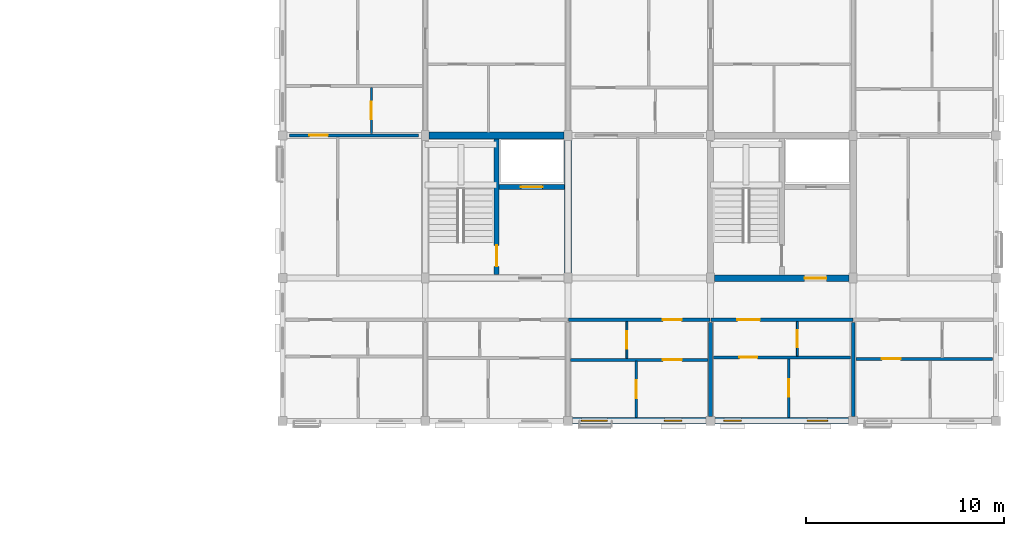
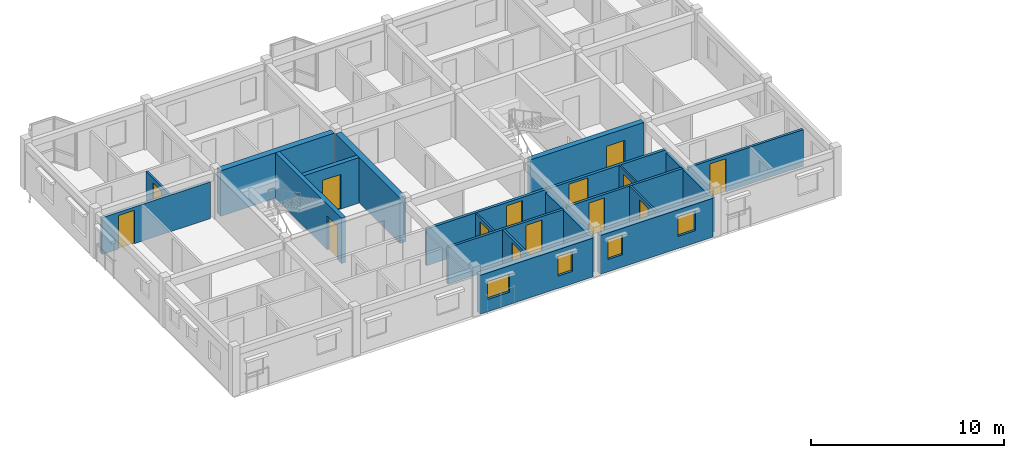
# One storey, part 22 of 28: 20 walls, 14 doors, 4 windows, 18 openings.
"""IFC4 building model written with IfcOpenShell, lengths in metres."""

from ifc_helpers import new_model, si_unit, direction, frame, frame_2d, origin, place, context, subcontext, project, spatial, rectangle, extrude, material, layer, layer_set, type_object, element, fill, save


model = new_model("IFC4")

# Units and contexts
model_context = context("Model", 3, precision=1e-05, world=origin(), true_north=direction((0.0, 1.0)))
body_context = subcontext(model_context, "Body", "Model", "MODEL_VIEW")
ifc_project = project(units=[si_unit("LENGTHUNIT", "METRE"), si_unit("AREAUNIT", "SQUARE_METRE"), si_unit("VOLUMEUNIT", "CUBIC_METRE"), si_unit("PLANEANGLEUNIT", "RADIAN"), si_unit("MASSUNIT", "GRAM", prefix="KILO"), si_unit("THERMODYNAMICTEMPERATUREUNIT", "KELVIN"), si_unit("POWERUNIT", "WATT")], contexts=[model_context])

# Site, building, storey
site_placement = place(None, origin())
site = spatial("IfcSite", under=ifc_project, at=site_placement, CompositionType="ELEMENT")
building_placement = place(site_placement, origin())
building = spatial("IfcBuilding", under=site, at=building_placement, Name="Tavuni Mirador Residences", CompositionType="ELEMENT")
storey_placement = place(building_placement, frame((0.0, 0.0, 39.14990234375)))
storey = spatial("IfcBuildingStorey", under=building, at=storey_placement, Name="L12", CompositionType="ELEMENT", Elevation=39.14990234375)

# Wall, opening, door
ifc_material_1 = material(Name="Precast concrete C40/50", Category="concrete")
ifc_layer_1 = layer(ifc_material_1, 0.25, Name="Precast concrete C40/50", Category="concrete")
ifc_layer_set_1 = layer_set([ifc_layer_1], Name="Precast concrete C40/50")
wall_type_1 = type_object("IfcWallType", Name="WT-COR250", PredefinedType="SHEAR", material=ifc_layer_set_1)
wall_1_placement = place(storey_placement, frame((28.800048828125, 158.580078125, 0.0), z_axis=(0.0, 0.0, 1.0), x_axis=(0.0, 1.0, 0.0)))
wall_1 = element("IfcWall", 1, at=wall_1_placement, inside=storey, type_object=wall_type_1, Name="CWALL-C5-L12-MID", PredefinedType="SHEAR", context=body_context, shape_type="SweptSolid", body=[
    extrude(rectangle(XDim=6.83984375, YDim=0.25, at=frame_2d((3.419921875, 0.0))), origin(), (0.0, 0.0, 1.0), 2.885009765625),
])
opening_1_placement = place(wall_1_placement, frame((0.419921875, 0.0, 0.0)))
opening_1 = element("IfcOpeningElement", 2, at=opening_1_placement, cuts=wall_1, Name="Opening D-01", PredefinedType="OPENING", context=body_context, shape_type="SweptSolid", body=[
    extrude(rectangle(XDim=1.050048828125, YDim=2.14990234375, at=frame_2d((0.52490234375, 1.074951171875))), frame((0.0, 0.135009765625, 0.0), z_axis=(0.0, -1.0, 0.0), x_axis=(1.0, 0.0, 0.0)), (0.0, 0.0, 1.0), 0.27001953125),
])
ifc_material_2 = material(Name="Solid core iroko timber", Category="wood")
door_type_1 = type_object("IfcDoorType", Name="DT-ST1050", OperationType="NOTDEFINED", PredefinedType="DOOR", material=ifc_material_2)
door_1_placement = place(opening_1_placement, origin())
door_1 = element("IfcDoor", 3, at=door_1_placement, inside=storey, type_object=door_type_1, Name="DR-2211", OperationType="SINGLE_SWING_LEFT", OverallHeight=2.14990234375, OverallWidth=1.050048828125, PredefinedType="DOOR", context=body_context, shape_type="SweptSolid", body=[
    extrude(rectangle(XDim=1.050048828125, YDim=2.14990234375, at=frame_2d((0.52490234375, 1.074951171875))), frame((0.0, 0.02490234375, 0.0), z_axis=(0.0, -1.0, 0.0), x_axis=(1.0, 0.0, 0.0)), (0.0, 0.0, 1.0), 0.050048828125),
])
fill(opening_1, door_1)

wall_2_placement = place(storey_placement, frame((28.925048828125, 163.0, 0.0), z_axis=(0.0, 0.0, 1.0), x_axis=(1.0, 0.0, 0.0)))
wall_2 = element("IfcWall", 4, at=wall_2_placement, inside=storey, type_object=wall_type_1, Name="CWALL-C5-L12-SHF", PredefinedType="SHEAR", context=body_context, shape_type="SweptSolid", body=[
    extrude(rectangle(XDim=3.294921875, YDim=0.25, at=frame_2d((1.6474609375, 0.0))), origin(), (0.0, 0.0, 1.0), 2.885009765625),
])
opening_2_placement = place(wall_2_placement, frame((1.10009765625, 0.0, 0.0)))
opening_2 = element("IfcOpeningElement", 5, at=opening_2_placement, cuts=wall_2, Name="Opening LD-01", PredefinedType="OPENING", context=body_context, shape_type="SweptSolid", body=[
    extrude(rectangle(XDim=1.10009765625, YDim=2.199951171875, at=frame_2d((0.550048828125, 1.10009765625))), frame((0.0, 0.135009765625, 0.0), z_axis=(0.0, -1.0, 0.0), x_axis=(1.0, 0.0, 0.0)), (0.0, 0.0, 1.0), 0.27001953125),
])
ifc_material_3 = material(Name="Structural steel S355", Category="steel")
door_type_2 = type_object("IfcDoorType", Name="DT-LD-FF", OperationType="SLIDING_TO_LEFT", PredefinedType="DOOR", material=ifc_material_3)
door_2_placement = place(opening_2_placement, origin())
door_2 = element("IfcDoor", 6, at=door_2_placement, inside=storey, type_object=door_type_2, Name="Lift landing door FL-C1 L12", OperationType="SLIDING_TO_LEFT", OverallHeight=2.199951171875, OverallWidth=1.10009765625, PredefinedType="DOOR", context=body_context, shape_type="SweptSolid", body=[
    extrude(rectangle(XDim=1.10009765625, YDim=2.199951171875, at=frame_2d((0.550048828125, 1.10009765625))), frame((0.0, 0.02490234375, 0.0), z_axis=(0.0, -1.0, 0.0), x_axis=(1.0, 0.0, 0.0)), (0.0, 0.0, 1.0), 0.050048828125),
])
fill(opening_2, door_2)

ifc_layer_2 = layer(ifc_material_1, 0.320068359375, Name="Precast concrete C40/50", Category="concrete")
ifc_layer_set_2 = layer_set([ifc_layer_2], Name="Precast concrete C40/50")
wall_type_2 = type_object("IfcWallType", Name="WT-COR320", PredefinedType="SHEAR", material=ifc_layer_set_2)
wall_3_placement = place(storey_placement, frame((39.800048828125, 158.39990234375, 0.0), z_axis=(0.0, 0.0, 1.0), x_axis=(1.0, 0.0, 0.0)))
wall_3 = element("IfcWall", 7, at=wall_3_placement, inside=storey, type_object=wall_type_2, Name="CWALL-C6-L12-SS", PredefinedType="SHEAR", context=body_context, shape_type="SweptSolid", body=[
    extrude(rectangle(XDim=6.800048828125, YDim=0.320068359375, at=frame_2d((3.39990234375, 0.0))), origin(), (0.0, 0.0, 1.0), 2.885009765625),
])
opening_3_placement = place(wall_3_placement, frame((4.550048828125, 0.0, 0.0)))
opening_3 = element("IfcOpeningElement", 8, at=opening_3_placement, cuts=wall_3, Name="Opening D-02", PredefinedType="OPENING", context=body_context, shape_type="SweptSolid", body=[
    extrude(rectangle(XDim=1.10009765625, YDim=2.14990234375, at=frame_2d((0.550048828125, 1.074951171875))), frame((0.0, 0.169921875, 0.0), z_axis=(0.0, -1.0, 0.0), x_axis=(1.0, 0.0, 0.0)), (0.0, 0.0, 1.0), 0.340087890625),
])
door_type_3 = type_object("IfcDoorType", Name="DT-LOB1100", OperationType="NOTDEFINED", PredefinedType="DOOR", material=ifc_material_2)
door_3_placement = place(opening_3_placement, frame((1.10009765625, 0.0, 0.0), z_axis=(0.0, 0.0, 1.0), x_axis=(-1.0, 0.0, 0.0)))
door_3 = element("IfcDoor", 9, at=door_3_placement, inside=storey, type_object=door_type_3, Name="DR-2255", OperationType="SINGLE_SWING_LEFT", OverallHeight=2.14990234375, OverallWidth=1.10009765625, PredefinedType="DOOR", context=body_context, shape_type="SweptSolid", body=[
    extrude(rectangle(XDim=1.10009765625, YDim=2.14990234375, at=frame_2d((0.550048828125, 1.074951171875))), frame((0.0, 0.02490234375, 0.0), z_axis=(0.0, -1.0, 0.0), x_axis=(1.0, 0.0, 0.0)), (0.0, 0.0, 1.0), 0.050048828125),
])
fill(opening_3, door_3)

# Walls
ifc_layer_3 = layer(ifc_material_1, 0.360107421875, Name="Precast concrete C40/50", Category="concrete")
ifc_layer_set_3 = layer_set([ifc_layer_3], Name="Precast concrete C40/50")
wall_type_3 = type_object("IfcWallType", Name="WT-COR360", PredefinedType="SHEAR", material=ifc_layer_set_3)
wall_4_placement = place(storey_placement, frame((25.39990234375, 165.60009765625, 0.0), z_axis=(0.0, 0.0, 1.0), x_axis=(1.0, 0.0, 0.0)))
element("IfcWall", 10, at=wall_4_placement, inside=storey, type_object=wall_type_3, Name="CWALL-C5-L12-N", PredefinedType="SHEAR", context=body_context, shape_type="SweptSolid", body=[
    extrude(rectangle(XDim=6.800048828125, YDim=0.360107421875, at=frame_2d((3.39990234375, 0.0))), origin(), (0.0, 0.0, 1.0), 2.885009765625),
])
wall_5_placement = place(storey_placement, frame((32.39990234375, 158.64990234375, 0.0), z_axis=(0.0, 0.0, 1.0), x_axis=(0.0, 1.0, 0.0)))
element("IfcWall", 11, at=wall_5_placement, inside=storey, type_object=wall_type_3, Name="CWALL-C5-L12-E", PredefinedType="SHEAR", context=body_context, shape_type="SweptSolid", body=[
    extrude(rectangle(XDim=6.7001953125, YDim=0.360107421875, at=frame_2d((3.35009765625, 0.0))), origin(), (0.0, 0.0, 1.0), 2.885009765625),
])

# Wall, opening, door
ifc_layer_4 = layer(ifc_material_1, 0.1650390625, Name="Precast concrete C40/50", Category="concrete")
ifc_layer_set_4 = layer_set([ifc_layer_4], Name="Precast concrete C40/50")
wall_type_4 = type_object("IfcWallType", Name="WT-CORR165", PredefinedType="PARTITIONING", material=ifc_layer_set_4)
wall_6_placement = place(storey_placement, frame((32.419921875, 156.300048828125, 0.0), z_axis=(0.0, 0.0, 1.0), x_axis=(1.0, 0.0, 0.0)))
wall_6 = element("IfcWall", 12, at=wall_6_placement, inside=storey, type_object=wall_type_4, Name="CORW-BLK-C-L12-0-02", PredefinedType="PARTITIONING", context=body_context, shape_type="SweptSolid", body=[
    extrude(rectangle(XDim=7.16015625, YDim=0.1650390625, at=frame_2d((3.580078125, 0.0))), origin(), (0.0, 0.0, 1.0), 2.320068359375),
])
opening_4_placement = place(wall_6_placement, frame((4.780029296875, 0.0, 0.0)))
opening_4 = element("IfcOpeningElement", 13, at=opening_4_placement, cuts=wall_6, Name="Opening D-19", PredefinedType="OPENING", context=body_context, shape_type="SweptSolid", body=[
    extrude(rectangle(XDim=0.93994140625, YDim=2.1201171875, at=frame_2d((0.469970703125, 1.06005859375))), frame((0.0, 0.092529296875, 0.0), z_axis=(0.0, -1.0, 0.0), x_axis=(1.0, 0.0, 0.0)), (0.0, 0.0, 1.0), 0.18505859375),
])
door_type_4 = type_object("IfcDoorType", Name="DT-FD60-940", OperationType="NOTDEFINED", PredefinedType="DOOR", material=ifc_material_2)
door_4_placement = place(opening_4_placement, origin())
door_4 = element("IfcDoor", 14, at=door_4_placement, inside=storey, type_object=door_type_4, Name="DR-2785", OperationType="SINGLE_SWING_RIGHT", OverallHeight=2.1201171875, OverallWidth=0.93994140625, PredefinedType="DOOR", context=body_context, shape_type="SweptSolid", body=[
    extrude(rectangle(XDim=0.93994140625, YDim=2.1201171875, at=frame_2d((0.469970703125, 1.06005859375))), frame((0.0, 0.02490234375, 0.0), z_axis=(0.0, -1.0, 0.0), x_axis=(1.0, 0.0, 0.0)), (0.0, 0.0, 1.0), 0.050048828125),
])
fill(opening_4, door_4)

wall_7_placement = place(storey_placement, frame((39.6201171875, 156.300048828125, 0.0), z_axis=(0.0, 0.0, 1.0), x_axis=(1.0, 0.0, 0.0)))
wall_7 = element("IfcWall", 15, at=wall_7_placement, inside=storey, type_object=wall_type_4, Name="CORW-BLK-C-L12-0-03", PredefinedType="PARTITIONING", context=body_context, shape_type="SweptSolid", body=[
    extrude(rectangle(XDim=7.159912109375, YDim=0.1650390625, at=frame_2d((3.580078125, 0.0))), origin(), (0.0, 0.0, 1.0), 2.320068359375),
])
opening_5_placement = place(wall_7_placement, frame((1.330078125, 0.0, 0.0)))
opening_5 = element("IfcOpeningElement", 16, at=opening_5_placement, cuts=wall_7, Name="Opening D-20", PredefinedType="OPENING", context=body_context, shape_type="SweptSolid", body=[
    extrude(rectangle(XDim=1.139892578125, YDim=2.179931640625, at=frame_2d((0.56982421875, 1.08984375))), frame((0.0, 0.092529296875, 0.0), z_axis=(0.0, -1.0, 0.0), x_axis=(1.0, 0.0, 0.0)), (0.0, 0.0, 1.0), 0.18505859375),
])
door_type_5 = type_object("IfcDoorType", Name="DT-FD60-1140", OperationType="NOTDEFINED", PredefinedType="DOOR", material=ifc_material_2)
door_5_placement = place(opening_5_placement, origin())
door_5 = element("IfcDoor", 17, at=door_5_placement, inside=storey, type_object=door_type_5, Name="DR-2786", OperationType="SINGLE_SWING_LEFT", OverallHeight=2.179931640625, OverallWidth=1.139892578125, PredefinedType="DOOR", context=body_context, shape_type="SweptSolid", body=[
    extrude(rectangle(XDim=1.139892578125, YDim=2.179931640625, at=frame_2d((0.56982421875, 1.08984375))), frame((0.0, 0.02490234375, 0.0), z_axis=(0.0, -1.0, 0.0), x_axis=(1.0, 0.0, 0.0)), (0.0, 0.0, 1.0), 0.050048828125),
])
fill(opening_5, door_5)

wall_8_placement = place(storey_placement, frame((18.35009765625, 165.60009765625, 0.0), z_axis=(0.0, 0.0, 1.0), x_axis=(1.0, 0.0, 0.0)))
wall_8 = element("IfcWall", 18, at=wall_8_placement, inside=storey, type_object=wall_type_4, Name="CORW-BLK-C-L12-1-00", PredefinedType="PARTITIONING", context=body_context, shape_type="SweptSolid", body=[
    extrude(rectangle(XDim=6.5, YDim=0.1650390625, at=frame_2d((3.25, 0.0))), origin(), (0.0, 0.0, 1.0), 2.320068359375),
])
opening_6_placement = place(wall_8_placement, frame((1.0, 0.0, 0.0)))
opening_6 = element("IfcOpeningElement", 19, at=opening_6_placement, cuts=wall_8, Name="Opening D-19", PredefinedType="OPENING", context=body_context, shape_type="SweptSolid", body=[
    extrude(rectangle(XDim=0.93994140625, YDim=2.1201171875, at=frame_2d((0.469970703125, 1.06005859375))), frame((0.0, 0.092529296875, 0.0), z_axis=(0.0, -1.0, 0.0), x_axis=(1.0, 0.0, 0.0)), (0.0, 0.0, 1.0), 0.18505859375),
])
door_6_placement = place(opening_6_placement, origin())
door_6 = element("IfcDoor", 20, at=door_6_placement, inside=storey, type_object=door_type_4, Name="DR-2788", OperationType="SINGLE_SWING_LEFT", OverallHeight=2.1201171875, OverallWidth=0.93994140625, PredefinedType="DOOR", context=body_context, shape_type="SweptSolid", body=[
    extrude(rectangle(XDim=0.93994140625, YDim=2.1201171875, at=frame_2d((0.469970703125, 1.06005859375))), frame((0.0, 0.02490234375, 0.0), z_axis=(0.0, -1.0, 0.0), x_axis=(1.0, 0.0, 0.0)), (0.0, 0.0, 1.0), 0.050048828125),
])
fill(opening_6, door_6)

# Wall, openings, windows
ifc_layer_5 = layer(ifc_material_1, 0.330078125, Name="Precast concrete C40/50", Category="concrete")
ifc_layer_set_5 = layer_set([ifc_layer_5], Name="Precast concrete C40/50")
wall_type_5 = type_object("IfcWallType", Name="WT-EXT-COR330", PredefinedType="SOLIDWALL", material=ifc_layer_set_5)
wall_9_placement = place(storey_placement, frame((32.625, 151.199951171875, 0.0), z_axis=(0.0, 0.0, 1.0), x_axis=(1.0, 0.0, 0.0)))
wall_9 = element("IfcWall", 21, at=wall_9_placement, inside=storey, type_object=wall_type_5, Name="EW-BLK-C-L12-S02", PredefinedType="SOLIDWALL", context=body_context, shape_type="SweptSolid", body=[
    extrude(rectangle(XDim=6.75, YDim=0.330078125, at=frame_2d((3.375, 0.0))), origin(), (0.0, 0.0, 1.0), 2.455078125),
])
opening_7_placement = place(wall_9_placement, frame((0.449951171875, 0.0, 0.780029296875)))
opening_7 = element("IfcOpeningElement", 22, at=opening_7_placement, cuts=wall_9, Name="Opening WN-07", PredefinedType="OPENING", context=body_context, shape_type="SweptSolid", body=[
    extrude(rectangle(XDim=1.320068359375, YDim=1.14990234375, at=frame_2d((0.66015625, 0.574951171875))), frame((0.0, 0.175048828125, 0.0), z_axis=(0.0, -1.0, 0.0), x_axis=(1.0, 0.0, 0.0)), (0.0, 0.0, 1.0), 0.35009765625),
])
opening_8_placement = place(wall_9_placement, frame((4.64990234375, 0.0, 0.780029296875)))
opening_8 = element("IfcOpeningElement", 23, at=opening_8_placement, cuts=wall_9, Name="Opening WN-09", PredefinedType="OPENING", context=body_context, shape_type="SweptSolid", body=[
    extrude(rectangle(XDim=0.8798828125, YDim=1.260009765625, at=frame_2d((0.43994140625, 0.6298828125))), frame((0.0, 0.175048828125, 0.0), z_axis=(0.0, -1.0, 0.0), x_axis=(1.0, 0.0, 0.0)), (0.0, 0.0, 1.0), 0.35009765625),
])
ifc_material_4 = material(Name="Laminated solar-control glass", Category="glass")
window_type_1 = type_object("IfcWindowType", Name="WNT-07", PartitioningType="SINGLE_PANEL", PredefinedType="WINDOW", material=ifc_material_4)
window_1_placement = place(opening_7_placement, origin())
window_1 = element("IfcWindow", 24, at=window_1_placement, inside=storey, type_object=window_type_1, Name="WIN-1344", OverallHeight=1.14990234375, OverallWidth=1.320068359375, PartitioningType="SINGLE_PANEL", PredefinedType="WINDOW", context=body_context, shape_type="SweptSolid", body=[
    extrude(rectangle(XDim=1.320068359375, YDim=1.14990234375, at=frame_2d((0.66015625, 0.574951171875))), frame((0.0, 0.030029296875, 0.0), z_axis=(0.0, -1.0, 0.0), x_axis=(1.0, 0.0, 0.0)), (0.0, 0.0, 1.0), 0.06005859375),
])
fill(opening_7, window_1)
window_type_2 = type_object("IfcWindowType", Name="WNT-09", PartitioningType="SINGLE_PANEL", PredefinedType="WINDOW", material=ifc_material_4)
window_2_placement = place(opening_8_placement, origin())
window_2 = element("IfcWindow", 25, at=window_2_placement, inside=storey, type_object=window_type_2, Name="WIN-1345", OverallHeight=1.260009765625, OverallWidth=0.8798828125, PartitioningType="SINGLE_PANEL", PredefinedType="WINDOW", context=body_context, shape_type="SweptSolid", body=[
    extrude(rectangle(XDim=0.8798828125, YDim=1.260009765625, at=frame_2d((0.43994140625, 0.6298828125))), frame((0.0, 0.030029296875, 0.0), z_axis=(0.0, -1.0, 0.0), x_axis=(1.0, 0.0, 0.0)), (0.0, 0.0, 1.0), 0.06005859375),
])
fill(opening_8, window_2)

ifc_material_5 = material(Name="Sgraffito lime-rendered precast concrete C40/50", Category="concrete")
ifc_layer_6 = layer(ifc_material_5, 0.31494140625, Name="Sgraffito lime-rendered precast concrete C40/50", Category="concrete")
ifc_layer_set_6 = layer_set([ifc_layer_6], Name="Sgraffito lime-rendered precast concrete C40/50")
wall_type_6 = type_object("IfcWallType", Name="WT-EXT-PC315", PredefinedType="SOLIDWALL", material=ifc_layer_set_6)
wall_10_placement = place(storey_placement, frame((39.824951171875, 151.199951171875, 0.0), z_axis=(0.0, 0.0, 1.0), x_axis=(1.0, 0.0, 0.0)))
wall_10 = element("IfcWall", 26, at=wall_10_placement, inside=storey, type_object=wall_type_6, Name="EW-BLK-C-L12-S03", PredefinedType="SOLIDWALL", context=body_context, shape_type="SweptSolid", body=[
    extrude(rectangle(XDim=6.75, YDim=0.31494140625, at=frame_2d((3.375, 0.0))), origin(), (0.0, 0.0, 1.0), 2.455078125),
])
opening_9_placement = place(wall_10_placement, frame((0.449951171875, 0.0, 0.780029296875)))
opening_9 = element("IfcOpeningElement", 27, at=opening_9_placement, cuts=wall_10, Name="Opening WN-09", PredefinedType="OPENING", context=body_context, shape_type="SweptSolid", body=[
    extrude(rectangle(XDim=0.8798828125, YDim=1.260009765625, at=frame_2d((0.43994140625, 0.6298828125))), frame((0.0, 0.16748046875, 0.0), z_axis=(0.0, -1.0, 0.0), x_axis=(1.0, 0.0, 0.0)), (0.0, 0.0, 1.0), 0.3349609375),
])
opening_10_placement = place(wall_10_placement, frame((4.64990234375, 0.0, 0.780029296875)))
opening_10 = element("IfcOpeningElement", 28, at=opening_10_placement, cuts=wall_10, Name="Opening WN-11", PredefinedType="OPENING", context=body_context, shape_type="SweptSolid", body=[
    extrude(rectangle(XDim=1.0400390625, YDim=1.260009765625, at=frame_2d((0.52001953125, 0.6298828125))), frame((0.0, 0.16748046875, 0.0), z_axis=(0.0, -1.0, 0.0), x_axis=(1.0, 0.0, 0.0)), (0.0, 0.0, 1.0), 0.3349609375),
])
window_3_placement = place(opening_9_placement, origin())
window_3 = element("IfcWindow", 29, at=window_3_placement, inside=storey, type_object=window_type_2, Name="WIN-1346", OverallHeight=1.260009765625, OverallWidth=0.8798828125, PartitioningType="SINGLE_PANEL", PredefinedType="WINDOW", context=body_context, shape_type="SweptSolid", body=[
    extrude(rectangle(XDim=0.8798828125, YDim=1.260009765625, at=frame_2d((0.43994140625, 0.6298828125))), frame((0.0, 0.030029296875, 0.0), z_axis=(0.0, -1.0, 0.0), x_axis=(1.0, 0.0, 0.0)), (0.0, 0.0, 1.0), 0.06005859375),
])
fill(opening_9, window_3)
window_type_3 = type_object("IfcWindowType", Name="WNT-11", PartitioningType="SINGLE_PANEL", PredefinedType="WINDOW", material=ifc_material_4)
window_4_placement = place(opening_10_placement, origin())
window_4 = element("IfcWindow", 30, at=window_4_placement, inside=storey, type_object=window_type_3, Name="WIN-1347", OverallHeight=1.260009765625, OverallWidth=1.0400390625, PartitioningType="SINGLE_PANEL", PredefinedType="WINDOW", context=body_context, shape_type="SweptSolid", body=[
    extrude(rectangle(XDim=1.0400390625, YDim=1.260009765625, at=frame_2d((0.52001953125, 0.6298828125))), frame((0.0, 0.030029296875, 0.0), z_axis=(0.0, -1.0, 0.0), x_axis=(1.0, 0.0, 0.0)), (0.0, 0.0, 1.0), 0.06005859375),
])
fill(opening_10, window_4)

# Wall, opening, door
ifc_material_6 = material(Name="Acoustic gypsum and concrete block partition", Category="concrete")
ifc_layer_7 = layer(ifc_material_6, 0.094970703125, Name="Acoustic gypsum and concrete block partition", Category="concrete")
ifc_layer_set_7 = layer_set([ifc_layer_7], Name="Acoustic gypsum and concrete block partition")
wall_type_7 = type_object("IfcWallType", Name="WT-PART095", PredefinedType="PARTITIONING", material=ifc_layer_set_7)
wall_11_placement = place(storey_placement, frame((35.3798828125, 154.35009765625, 0.0), z_axis=(0.0, 0.0, 1.0), x_axis=(0.0, 1.0, 0.0)))
wall_11 = element("IfcWall", 31, at=wall_11_placement, inside=storey, type_object=wall_type_7, Name="PW-BLK-C-L12-S02-IN1", PredefinedType="PARTITIONING", context=body_context, shape_type="SweptSolid", body=[
    extrude(rectangle(XDim=1.85986328125, YDim=0.094970703125, at=frame_2d((0.929931640625, 0.0))), origin(), (0.0, 0.0, 1.0), 2.320068359375),
])
opening_11_placement = place(wall_11_placement, frame((0.4951171875, 0.0, 0.0)))
opening_11 = element("IfcOpeningElement", 32, at=opening_11_placement, cuts=wall_11, Name="Opening D-10", PredefinedType="OPENING", context=body_context, shape_type="SweptSolid", body=[
    extrude(rectangle(XDim=0.8701171875, YDim=2.050048828125, at=frame_2d((0.43505859375, 1.02490234375))), frame((0.0, 0.0576171875, 0.0), z_axis=(0.0, -1.0, 0.0), x_axis=(1.0, 0.0, 0.0)), (0.0, 0.0, 1.0), 0.114990234375),
])
door_type_6 = type_object("IfcDoorType", Name="DT-WC870", OperationType="NOTDEFINED", PredefinedType="DOOR", material=ifc_material_2)
door_7_placement = place(opening_11_placement, origin())
door_7 = element("IfcDoor", 33, at=door_7_placement, inside=storey, type_object=door_type_6, Name="DR-4241", OperationType="SINGLE_SWING_LEFT", OverallHeight=2.050048828125, OverallWidth=0.8701171875, PredefinedType="DOOR", context=body_context, shape_type="SweptSolid", body=[
    extrude(rectangle(XDim=0.8701171875, YDim=2.050048828125, at=frame_2d((0.43505859375, 1.02490234375))), frame((0.0, 0.02490234375, 0.0), z_axis=(0.0, -1.0, 0.0), x_axis=(1.0, 0.0, 0.0)), (0.0, 0.0, 1.0), 0.050048828125),
])
fill(opening_11, door_7)

wall_12_placement = place(storey_placement, frame((43.97998046875, 154.469970703125, 0.0), z_axis=(0.0, 0.0, 1.0), x_axis=(0.0, 1.0, 0.0)))
wall_12 = element("IfcWall", 34, at=wall_12_placement, inside=storey, type_object=wall_type_7, Name="PW-BLK-C-L12-S03-IN1", PredefinedType="PARTITIONING", context=body_context, shape_type="SweptSolid", body=[
    extrude(rectangle(XDim=1.739990234375, YDim=0.094970703125, at=frame_2d((0.8701171875, 0.0))), origin(), (0.0, 0.0, 1.0), 2.320068359375),
])
opening_12_placement = place(wall_12_placement, frame((0.43505859375, 0.0, 0.0)))
opening_12 = element("IfcOpeningElement", 35, at=opening_12_placement, cuts=wall_12, Name="Opening D-10", PredefinedType="OPENING", context=body_context, shape_type="SweptSolid", body=[
    extrude(rectangle(XDim=0.8701171875, YDim=2.050048828125, at=frame_2d((0.43505859375, 1.02490234375))), frame((0.0, 0.0576171875, 0.0), z_axis=(0.0, -1.0, 0.0), x_axis=(1.0, 0.0, 0.0)), (0.0, 0.0, 1.0), 0.114990234375),
])
door_8_placement = place(opening_12_placement, origin())
door_8 = element("IfcDoor", 36, at=door_8_placement, inside=storey, type_object=door_type_6, Name="DR-4247", OperationType="SINGLE_SWING_RIGHT", OverallHeight=2.050048828125, OverallWidth=0.8701171875, PredefinedType="DOOR", context=body_context, shape_type="SweptSolid", body=[
    extrude(rectangle(XDim=0.8701171875, YDim=2.050048828125, at=frame_2d((0.43505859375, 1.02490234375))), frame((0.0, 0.02490234375, 0.0), z_axis=(0.0, -1.0, 0.0), x_axis=(1.0, 0.0, 0.0)), (0.0, 0.0, 1.0), 0.050048828125),
])
fill(opening_12, door_8)

ifc_layer_8 = layer(ifc_material_6, 0.10498046875, Name="Acoustic gypsum and concrete block partition", Category="concrete")
ifc_layer_set_8 = layer_set([ifc_layer_8], Name="Acoustic gypsum and concrete block partition")
wall_type_8 = type_object("IfcWallType", Name="WT-PART105", PredefinedType="PARTITIONING", material=ifc_layer_set_8)
wall_13_placement = place(storey_placement, frame((22.47998046875, 165.68994140625, 0.0), z_axis=(0.0, 0.0, 1.0), x_axis=(0.0, 1.0, 0.0)))
wall_13 = element("IfcWall", 37, at=wall_13_placement, inside=storey, type_object=wall_type_8, Name="PW-BLK-C-L12-N00-IN1", PredefinedType="PARTITIONING", context=body_context, shape_type="SweptSolid", body=[
    extrude(rectangle(XDim=2.340087890625, YDim=0.10498046875, at=frame_2d((1.169921875, 0.0))), origin(), (0.0, 0.0, 1.0), 2.320068359375),
])
opening_13_placement = place(wall_13_placement, frame((0.719970703125, 0.0, 0.0)))
opening_13 = element("IfcOpeningElement", 38, at=opening_13_placement, cuts=wall_13, Name="Opening D-09", PredefinedType="OPENING", context=body_context, shape_type="SweptSolid", body=[
    extrude(rectangle(XDim=0.89990234375, YDim=2.050048828125, at=frame_2d((0.449951171875, 1.02490234375))), frame((0.0, 0.0625, 0.0), z_axis=(0.0, -1.0, 0.0), x_axis=(1.0, 0.0, 0.0)), (0.0, 0.0, 1.0), 0.125),
])
door_type_7 = type_object("IfcDoorType", Name="DT-WC900", OperationType="NOTDEFINED", PredefinedType="DOOR", material=ifc_material_2)
door_9_placement = place(opening_13_placement, origin())
door_9 = element("IfcDoor", 39, at=door_9_placement, inside=storey, type_object=door_type_7, Name="DR-4232", OperationType="SINGLE_SWING_LEFT", OverallHeight=2.050048828125, OverallWidth=0.89990234375, PredefinedType="DOOR", context=body_context, shape_type="SweptSolid", body=[
    extrude(rectangle(XDim=0.89990234375, YDim=2.050048828125, at=frame_2d((0.449951171875, 1.02490234375))), frame((0.0, 0.02490234375, 0.0), z_axis=(0.0, -1.0, 0.0), x_axis=(1.0, 0.0, 0.0)), (0.0, 0.0, 1.0), 0.050048828125),
])
fill(opening_13, door_9)

ifc_layer_9 = layer(ifc_material_6, 0.125, Name="Acoustic gypsum and concrete block partition", Category="concrete")
ifc_layer_set_9 = layer_set([ifc_layer_9], Name="Acoustic gypsum and concrete block partition")
wall_type_9 = type_object("IfcWallType", Name="WT-PART125", PredefinedType="PARTITIONING", material=ifc_layer_set_9)
wall_14_placement = place(storey_placement, frame((35.860107421875, 151.375, 0.0), z_axis=(0.0, 0.0, 1.0), x_axis=(0.0, 1.0, 0.0)))
wall_14 = element("IfcWall", 40, at=wall_14_placement, inside=storey, type_object=wall_type_9, Name="PW-BLK-C-L12-S02-OUT", PredefinedType="PARTITIONING", context=body_context, shape_type="SweptSolid", body=[
    extrude(rectangle(XDim=2.8349609375, YDim=0.125, at=frame_2d((1.41748046875, 0.0))), origin(), (0.0, 0.0, 1.0), 2.320068359375),
])
opening_14_placement = place(wall_14_placement, frame((0.967529296875, 0.0, 0.0)))
opening_14 = element("IfcOpeningElement", 41, at=opening_14_placement, cuts=wall_14, Name="Opening D-07", PredefinedType="OPENING", context=body_context, shape_type="SweptSolid", body=[
    extrude(rectangle(XDim=0.89990234375, YDim=2.10009765625, at=frame_2d((0.449951171875, 1.050048828125))), frame((0.0, 0.072509765625, 0.0), z_axis=(0.0, -1.0, 0.0), x_axis=(1.0, 0.0, 0.0)), (0.0, 0.0, 1.0), 0.14501953125),
])
door_type_8 = type_object("IfcDoorType", Name="DT-BED900", OperationType="NOTDEFINED", PredefinedType="DOOR", material=ifc_material_2)
door_10_placement = place(opening_14_placement, origin())
door_10 = element("IfcDoor", 42, at=door_10_placement, inside=storey, type_object=door_type_8, Name="DR-4240", OperationType="SINGLE_SWING_RIGHT", OverallHeight=2.10009765625, OverallWidth=0.89990234375, PredefinedType="DOOR", context=body_context, shape_type="SweptSolid", body=[
    extrude(rectangle(XDim=0.89990234375, YDim=2.10009765625, at=frame_2d((0.449951171875, 1.050048828125))), frame((0.0, 0.02490234375, 0.0), z_axis=(0.0, -1.0, 0.0), x_axis=(1.0, 0.0, 0.0)), (0.0, 0.0, 1.0), 0.050048828125),
])
fill(opening_14, door_10)

wall_15_placement = place(storey_placement, frame((43.5400390625, 151.375, 0.0), z_axis=(0.0, 0.0, 1.0), x_axis=(0.0, 1.0, 0.0)))
wall_15 = element("IfcWall", 43, at=wall_15_placement, inside=storey, type_object=wall_type_9, Name="PW-BLK-C-L12-S03-OUT", PredefinedType="PARTITIONING", context=body_context, shape_type="SweptSolid", body=[
    extrude(rectangle(XDim=2.955078125, YDim=0.125, at=frame_2d((1.4775390625, 0.0))), origin(), (0.0, 0.0, 1.0), 2.320068359375),
])
opening_15_placement = place(wall_15_placement, frame((1.03759765625, 0.0, 0.0)))
opening_15 = element("IfcOpeningElement", 44, at=opening_15_placement, cuts=wall_15, Name="Opening D-08", PredefinedType="OPENING", context=body_context, shape_type="SweptSolid", body=[
    extrude(rectangle(XDim=0.8798828125, YDim=2.080078125, at=frame_2d((0.43994140625, 1.0400390625))), frame((0.0, 0.072509765625, 0.0), z_axis=(0.0, -1.0, 0.0), x_axis=(1.0, 0.0, 0.0)), (0.0, 0.0, 1.0), 0.14501953125),
])
door_type_9 = type_object("IfcDoorType", Name="DT-BED880", OperationType="NOTDEFINED", PredefinedType="DOOR", material=ifc_material_2)
door_11_placement = place(opening_15_placement, origin())
door_11 = element("IfcDoor", 45, at=door_11_placement, inside=storey, type_object=door_type_9, Name="DR-4246", OperationType="SINGLE_SWING_LEFT", OverallHeight=2.080078125, OverallWidth=0.8798828125, PredefinedType="DOOR", context=body_context, shape_type="SweptSolid", body=[
    extrude(rectangle(XDim=0.8798828125, YDim=2.080078125, at=frame_2d((0.43994140625, 1.0400390625))), frame((0.0, 0.02490234375, 0.0), z_axis=(0.0, -1.0, 0.0), x_axis=(1.0, 0.0, 0.0)), (0.0, 0.0, 1.0), 0.050048828125),
])
fill(opening_15, door_11)

ifc_layer_10 = layer(ifc_material_6, 0.14990234375, Name="Acoustic gypsum and concrete block partition", Category="concrete")
ifc_layer_set_10 = layer_set([ifc_layer_10], Name="Acoustic gypsum and concrete block partition")
wall_type_10 = type_object("IfcWallType", Name="WT-PART150", PredefinedType="PARTITIONING", material=ifc_layer_set_10)
wall_16_placement = place(storey_placement, frame((32.5400390625, 154.280029296875, 0.0), z_axis=(0.0, 0.0, 1.0), x_axis=(1.0, 0.0, 0.0)))
wall_16 = element("IfcWall", 46, at=wall_16_placement, inside=storey, type_object=wall_type_10, Name="PW-BLK-C-L12-S02-MID", PredefinedType="PARTITIONING", context=body_context, shape_type="SweptSolid", body=[
    extrude(rectangle(XDim=6.919921875, YDim=0.14990234375, at=frame_2d((3.4599609375, 0.0))), origin(), (0.0, 0.0, 1.0), 2.320068359375),
])
opening_16_placement = place(wall_16_placement, frame((4.659912109375, 0.0, 0.0)))
opening_16 = element("IfcOpeningElement", 47, at=opening_16_placement, cuts=wall_16, Name="Opening D-05", PredefinedType="OPENING", context=body_context, shape_type="SweptSolid", body=[
    extrude(rectangle(XDim=0.949951171875, YDim=2.10009765625, at=frame_2d((0.47509765625, 1.050048828125))), frame((0.0, 0.0849609375, 0.0), z_axis=(0.0, -1.0, 0.0), x_axis=(1.0, 0.0, 0.0)), (0.0, 0.0, 1.0), 0.169921875),
])
door_type_10 = type_object("IfcDoorType", Name="DT-INT950", OperationType="NOTDEFINED", PredefinedType="DOOR", material=ifc_material_2)
door_12_placement = place(opening_16_placement, origin())
door_12 = element("IfcDoor", 48, at=door_12_placement, inside=storey, type_object=door_type_10, Name="DR-4242", OperationType="SINGLE_SWING_LEFT", OverallHeight=2.10009765625, OverallWidth=0.949951171875, PredefinedType="DOOR", context=body_context, shape_type="SweptSolid", body=[
    extrude(rectangle(XDim=0.949951171875, YDim=2.10009765625, at=frame_2d((0.47509765625, 1.050048828125))), frame((0.0, 0.02490234375, 0.0), z_axis=(0.0, -1.0, 0.0), x_axis=(1.0, 0.0, 0.0)), (0.0, 0.0, 1.0), 0.050048828125),
])
fill(opening_16, door_12)

wall_17_placement = place(storey_placement, frame((39.739990234375, 154.39990234375, 0.0), z_axis=(0.0, 0.0, 1.0), x_axis=(1.0, 0.0, 0.0)))
wall_17 = element("IfcWall", 49, at=wall_17_placement, inside=storey, type_object=wall_type_10, Name="PW-BLK-C-L12-S03-MID", PredefinedType="PARTITIONING", context=body_context, shape_type="SweptSolid", body=[
    extrude(rectangle(XDim=6.919921875, YDim=0.14990234375, at=frame_2d((3.4599609375, 0.0))), origin(), (0.0, 0.0, 1.0), 2.320068359375),
])
opening_17_placement = place(wall_17_placement, frame((1.31005859375, 0.0, 0.0)))
opening_17 = element("IfcOpeningElement", 50, at=opening_17_placement, cuts=wall_17, Name="Opening D-06", PredefinedType="OPENING", context=body_context, shape_type="SweptSolid", body=[
    extrude(rectangle(XDim=0.919921875, YDim=2.10009765625, at=frame_2d((0.4599609375, 1.050048828125))), frame((0.0, 0.0849609375, 0.0), z_axis=(0.0, -1.0, 0.0), x_axis=(1.0, 0.0, 0.0)), (0.0, 0.0, 1.0), 0.169921875),
])
door_type_11 = type_object("IfcDoorType", Name="DT-INT920", OperationType="NOTDEFINED", PredefinedType="DOOR", material=ifc_material_2)
door_13_placement = place(opening_17_placement, origin())
door_13 = element("IfcDoor", 51, at=door_13_placement, inside=storey, type_object=door_type_11, Name="DR-4248", OperationType="SINGLE_SWING_RIGHT", OverallHeight=2.10009765625, OverallWidth=0.919921875, PredefinedType="DOOR", context=body_context, shape_type="SweptSolid", body=[
    extrude(rectangle(XDim=0.919921875, YDim=2.10009765625, at=frame_2d((0.4599609375, 1.050048828125))), frame((0.0, 0.02490234375, 0.0), z_axis=(0.0, -1.0, 0.0), x_axis=(1.0, 0.0, 0.0)), (0.0, 0.0, 1.0), 0.050048828125),
])
fill(opening_17, door_13)

wall_18_placement = place(storey_placement, frame((46.93994140625, 154.320068359375, 0.0), z_axis=(0.0, 0.0, 1.0), x_axis=(1.0, 0.0, 0.0)))
wall_18 = element("IfcWall", 52, at=wall_18_placement, inside=storey, type_object=wall_type_10, Name="PW-BLK-C-L12-S04-MID", PredefinedType="PARTITIONING", context=body_context, shape_type="SweptSolid", body=[
    extrude(rectangle(XDim=6.885009765625, YDim=0.14990234375, at=frame_2d((3.4423828125, 0.0))), origin(), (0.0, 0.0, 1.0), 2.320068359375),
])
opening_18_placement = place(wall_18_placement, frame((1.31005859375, 0.0, 0.0)))
opening_18 = element("IfcOpeningElement", 53, at=opening_18_placement, cuts=wall_18, Name="Opening D-05", PredefinedType="OPENING", context=body_context, shape_type="SweptSolid", body=[
    extrude(rectangle(XDim=0.949951171875, YDim=2.10009765625, at=frame_2d((0.47509765625, 1.050048828125))), frame((0.0, 0.0849609375, 0.0), z_axis=(0.0, -1.0, 0.0), x_axis=(1.0, 0.0, 0.0)), (0.0, 0.0, 1.0), 0.169921875),
])
door_14_placement = place(opening_18_placement, origin())
door_14 = element("IfcDoor", 54, at=door_14_placement, inside=storey, type_object=door_type_10, Name="DR-4254", OperationType="SINGLE_SWING_LEFT", OverallHeight=2.10009765625, OverallWidth=0.949951171875, PredefinedType="DOOR", context=body_context, shape_type="SweptSolid", body=[
    extrude(rectangle(XDim=0.949951171875, YDim=2.10009765625, at=frame_2d((0.47509765625, 1.050048828125))), frame((0.0, 0.02490234375, 0.0), z_axis=(0.0, -1.0, 0.0), x_axis=(1.0, 0.0, 0.0)), (0.0, 0.0, 1.0), 0.050048828125),
])
fill(opening_18, door_14)

# Walls
ifc_layer_11 = layer(ifc_material_1, 0.195068359375, Name="Precast concrete C40/50", Category="concrete")
ifc_layer_set_11 = layer_set([ifc_layer_11], Name="Precast concrete C40/50")
wall_type_11 = type_object("IfcWallType", Name="WT-XW195", PredefinedType="SOLIDWALL", material=ifc_layer_set_11)
for number, where, z_axis, x_axis, name in (
    (55, (39.60009765625, 151.425048828125, 0.0), (0.0, 0.0, 1.0), (0.0, 1.0, 0.0), "XW-BLK-C-L12-S-03"),
    (56, (46.800048828125, 151.425048828125, 0.0), (0.0, 0.0, 1.0), (0.0, 1.0, 0.0), "XW-BLK-C-L12-S-04"),
):
    element("IfcWall", number, at=place(storey_placement, frame(where, z_axis=z_axis, x_axis=x_axis)), inside=storey, type_object=wall_type_11, Name=name, PredefinedType="SOLIDWALL", context=body_context, shape_type="SweptSolid", body=[
        extrude(rectangle(XDim=4.724853515625, YDim=0.195068359375, at=frame_2d((2.3623046875, 0.0))), origin(), (0.0, 0.0, 1.0), 2.18505859375),
    ])

save(model, "model.ifc")
